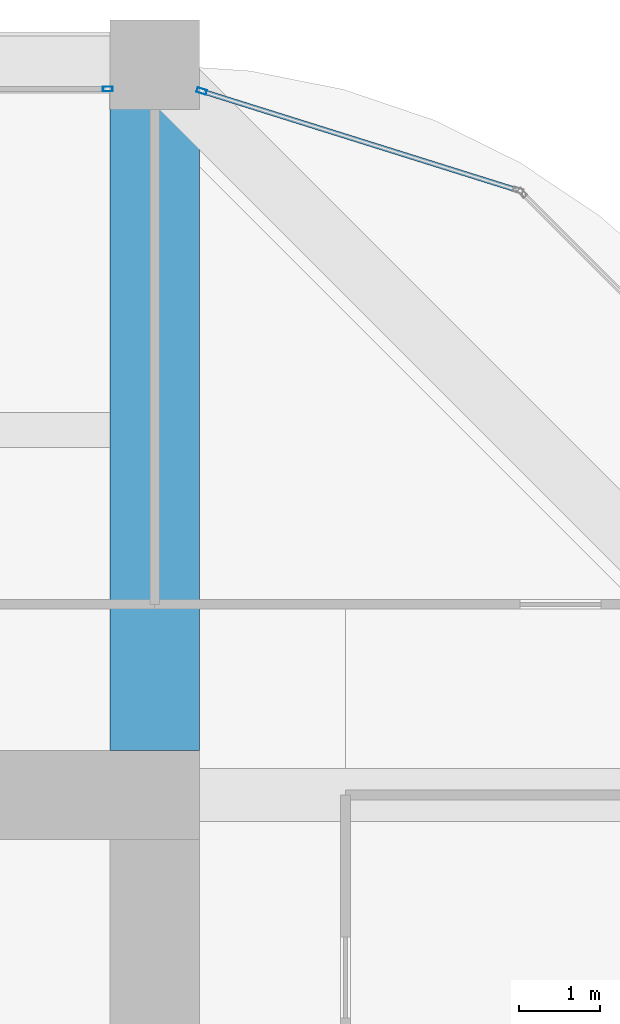
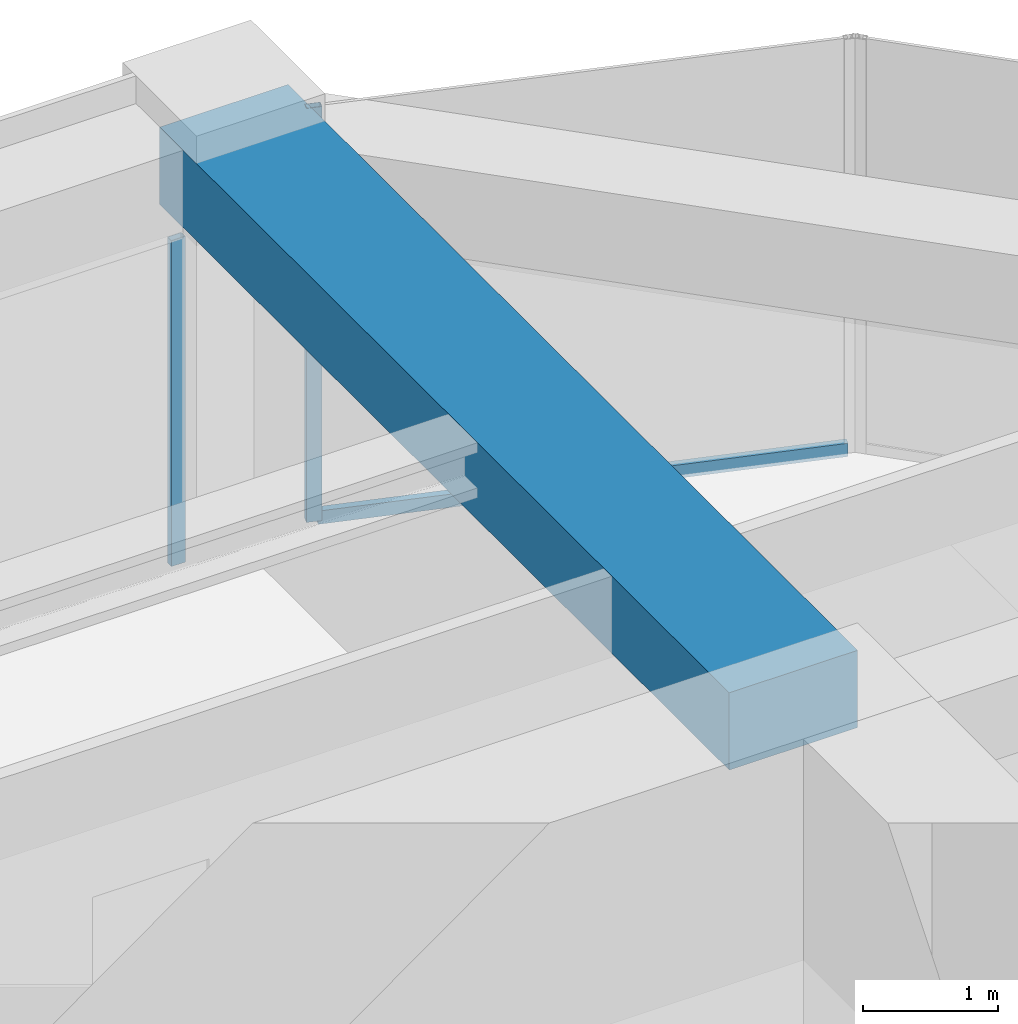
# One storey, part 37 of 44: 3 members, 1 beam, 2 elements without a shape of their own.
"""IFC4 building model written with IfcOpenShell, lengths in metres."""

from ifc_helpers import new_model, si_unit, direction, frame, origin, origin_2d, place, context, subcontext, project, spatial, rectangle, hollow_rectangle, extrude, material, material_profile, profile_set, type_object, element, aggregate, save


model = new_model("IFC4")

# Units and contexts
model_context = context("Model", 3, precision=1e-05, world=origin(), true_north=direction((0.0, 1.0)))
body_context = subcontext(model_context, "Body", "Model", "MODEL_VIEW")
ifc_project = project(units=[si_unit("LENGTHUNIT", "METRE"), si_unit("AREAUNIT", "SQUARE_METRE"), si_unit("VOLUMEUNIT", "CUBIC_METRE"), si_unit("PLANEANGLEUNIT", "RADIAN"), si_unit("MASSUNIT", "GRAM", prefix="KILO")], contexts=[model_context])

# Site, building, storey
site_placement = place(None, origin())
site = spatial("IfcSite", under=ifc_project, at=site_placement, CompositionType="ELEMENT")
building_placement = place(site_placement, origin())
building = spatial("IfcBuilding", under=site, at=building_placement, Name="Zorevar Civic Tower", CompositionType="ELEMENT")
storey_placement = place(building_placement, frame((0.0, 0.0, 255.39990234375)))
storey = spatial("IfcBuildingStorey", under=building, at=storey_placement, Name="L62", CompositionType="ELEMENT", Elevation=255.39990234375)

# Beam
ifc_material_1 = material(Name="Concrete C50/60", Category="concrete")
ifc_material_profile_1 = material_profile(ifc_material_1, rectangle(XDim=1.10009765625, YDim=0.699951171875, at=origin_2d()), Name="RC 1100x700")
ifc_profile_set_1 = profile_set([ifc_material_profile_1], Name="Concrete C50/60")
beam_type = type_object("IfcBeamType", Name="Beam RC 1100x700", PredefinedType="BEAM", material=ifc_profile_set_1)
beam_placement = place(storey_placement, frame((45.0, 36.550048828125, 3.400146484375), z_axis=(0.0, 1.0, 0.0), x_axis=(-1.0, 0.0, 0.0)))
element("IfcBeam", 1, at=beam_placement, inside=storey, type_object=beam_type, Name="Girder L63", PredefinedType="BEAM", context=body_context, shape_type="SweptSolid", body=[
    extrude(rectangle(XDim=1.10009765625, YDim=0.699951171875, at=origin_2d()), origin(), (0.0, 0.0, 1.0), 8.449951171875),
])

# Curtain wall, member
ifc_material_2 = material(Name="Dark grey solar-control glass in black aluminium frame", Category="aluminium")
curtain_wall_type = type_object("IfcCurtainWallType", Name="Curtain wall CW5 top zone", PredefinedType="NOTDEFINED", material=ifc_material_2)
curtain_wall_1_placement = place(storey_placement, origin())
curtain_wall_1 = element("IfcCurtainWall", 2, at=curtain_wall_1_placement, inside=storey, type_object=curtain_wall_type, Name="CW5 L62", PredefinedType="NOTDEFINED")
ifc_material_3 = material(Name="Aluminium, black anodised", Category="aluminium")
ifc_material_profile_2 = material_profile(ifc_material_3, hollow_rectangle(XDim=0.06005859375, YDim=0.1201171875, WallThickness=0.0029296875, at=origin_2d()), Name="AL 120x60x3")
ifc_profile_set_2 = profile_set([ifc_material_profile_2], Name="Aluminium, black anodised")
member_type_1 = type_object("IfcMemberType", Name="CW5 mullion AL 120x60x3", PredefinedType="MULLION", material=ifc_profile_set_2)
member_1_placement = place(storey_placement, frame((44.419921875, 44.699951171875, 0.0), z_axis=(0.0, 0.0, 1.0), x_axis=(0.0, 1.0, 0.0)))
member_1 = element("IfcMember", 3, at=member_1_placement, type_object=member_type_1, Name="CW5 mullion 3", PredefinedType="MULLION", context=body_context, shape_type="SweptSolid", body=[
    extrude(hollow_rectangle(XDim=0.06005859375, YDim=0.1201171875, WallThickness=0.0029296875, at=origin_2d()), origin(), (0.0, 0.0, 1.0), 2.9501953125),
])
aggregate(curtain_wall_1, [member_1])

# Curtain wall, members
curtain_wall_2_placement = place(storey_placement, origin())
curtain_wall_2 = element("IfcCurtainWall", 4, at=curtain_wall_2_placement, inside=storey, type_object=curtain_wall_type, Name="CW5 L62", PredefinedType="NOTDEFINED")
member_2_placement = place(storey_placement, frame((45.57861328125, 44.673583984375, 0.0), z_axis=(0.0, 0.0, 1.0), x_axis=(-0.299317920238, -0.954153437674, 0.0)))
member_2 = element("IfcMember", 5, at=member_2_placement, type_object=member_type_1, Name="CW5 mullion 2", PredefinedType="MULLION", context=body_context, shape_type="SweptSolid", body=[
    extrude(hollow_rectangle(XDim=0.06005859375, YDim=0.1201171875, WallThickness=0.0029296875, at=origin_2d()), origin(), (0.0, 0.0, 1.0), 3.75),
])
ifc_material_4 = material(Name="Aluminium, black anodised", Category="aluminium")
ifc_material_profile_3 = material_profile(ifc_material_4, hollow_rectangle(XDim=0.06005859375, YDim=0.1201171875, WallThickness=0.0029296875, at=origin_2d()), Name="AL 120x60x3")
ifc_profile_set_3 = profile_set([ifc_material_profile_3], Name="Aluminium, black anodised")
member_type_2 = type_object("IfcMemberType", Name="CW5 transom AL 120x60x3", PredefinedType="USERDEFINED", material=ifc_profile_set_3)
member_3_placement = place(storey_placement, frame((49.45068359375, 43.458984375, 0.030029296875), z_axis=(-0.954163457351, 0.299285978047, 0.0), x_axis=(-0.299285978047, -0.954163457351, 0.0)))
member_3 = element("IfcMember", 6, at=member_3_placement, type_object=member_type_2, Name="CW5 sill transom", ObjectType="TRANSOM", PredefinedType="USERDEFINED", context=body_context, shape_type="SweptSolid", body=[
    extrude(hollow_rectangle(XDim=0.06005859375, YDim=0.1201171875, WallThickness=0.0029296875, at=origin_2d()), origin(), (0.0, 0.0, 1.0), 4.028076171875),
])
aggregate(curtain_wall_2, [member_2, member_3])

save(model, "model.ifc")
